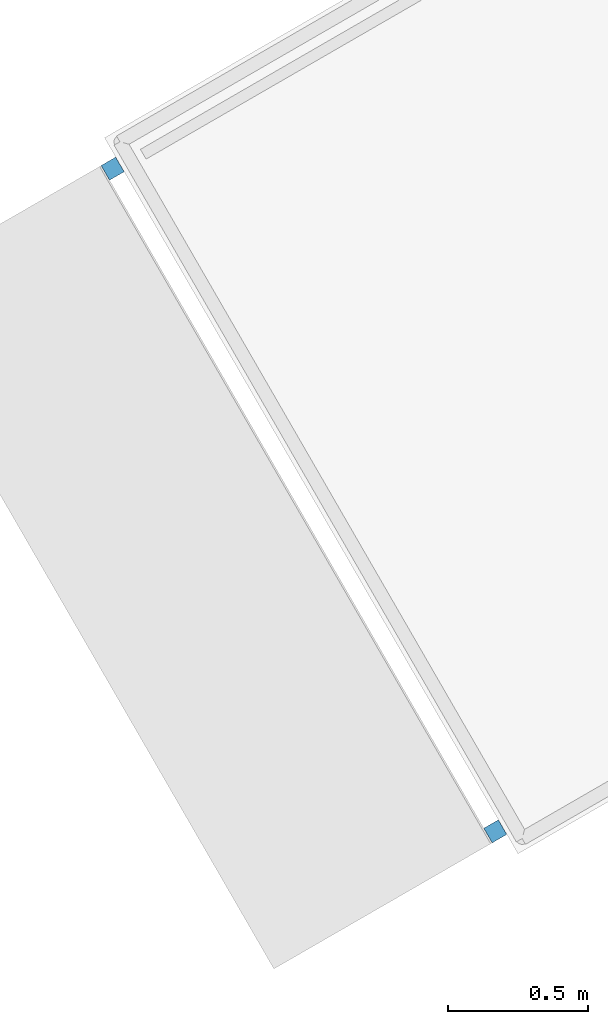
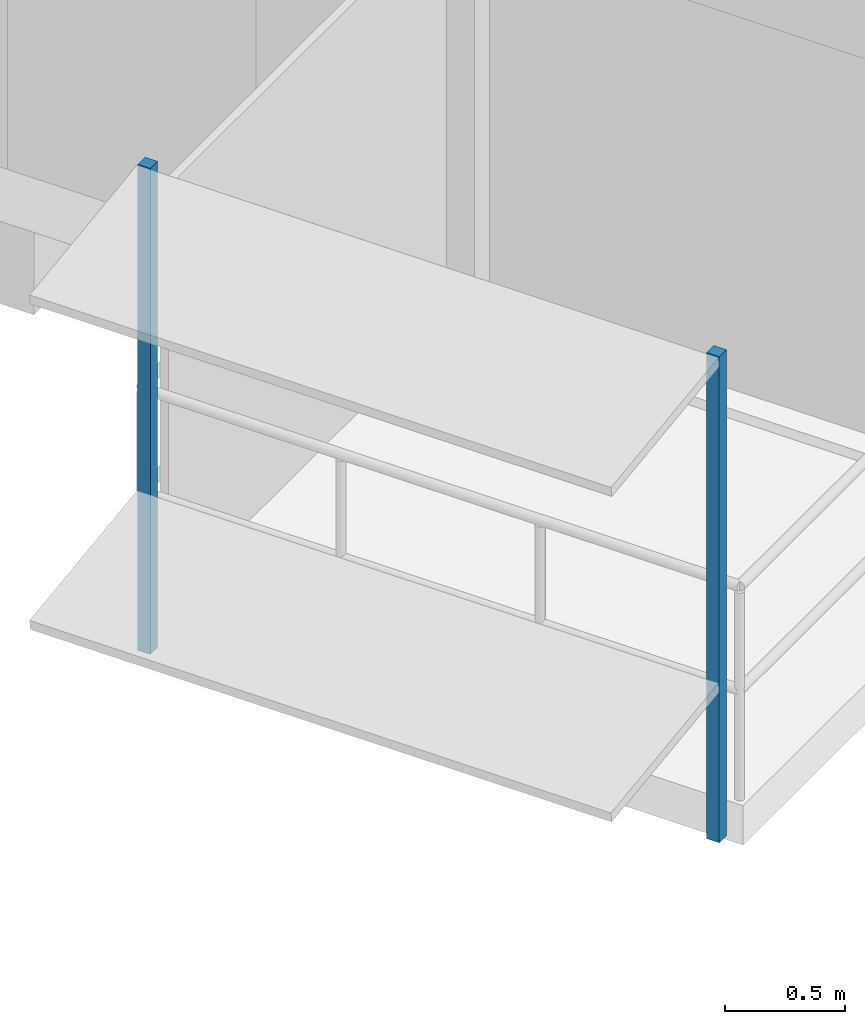
# One storey, part 11 of 17: 2 discrete accessories.
"""IFC4 building model written with IfcOpenShell, lengths in metres."""

from ifc_helpers import new_model, si_unit, direction, frame, origin, origin_2d, place, context, subcontext, project, spatial, rectangle, extrude, material, type_object, element, save


model = new_model("IFC4")

# Units and contexts
model_context = context("Model", 3, precision=1e-05, world=origin(), true_north=direction((0.0, 1.0)))
body_context = subcontext(model_context, "Body", "Model", "MODEL_VIEW")
ifc_project = project(units=[si_unit("LENGTHUNIT", "METRE"), si_unit("AREAUNIT", "SQUARE_METRE"), si_unit("VOLUMEUNIT", "CUBIC_METRE"), si_unit("PLANEANGLEUNIT", "RADIAN"), si_unit("MASSUNIT", "GRAM", prefix="KILO")], contexts=[model_context])

# Site, building, storey
site_placement = place(None, origin())
site = spatial("IfcSite", under=ifc_project, at=site_placement, CompositionType="ELEMENT")
building_placement = place(site_placement, origin())
building = spatial("IfcBuilding", under=site, at=building_placement, Name="Nakaniwa Court", CompositionType="ELEMENT")
storey_placement = place(building_placement, frame((0.0, 0.0, 203.10009765625)))
storey = spatial("IfcBuildingStorey", under=building, at=storey_placement, Name="L53", CompositionType="ELEMENT", Elevation=203.10009765625)

# Discrete accessories
ifc_material = material(Name="Black powder-coated steel bracket S275", Category="steel")
discrete_accessory_type = type_object("IfcDiscreteAccessoryType", Name="Black metal louvre bracket", PredefinedType="BRACKET", material=ifc_material)
for number, where, z_axis, x_axis, name in (
    (1, (59.105712890625, 66.02978515625, -0.22998046875), (0.0, 0.0, 1.0), (0.500016626402, -0.866015804314, 0.0), "L53 louvre bracket 02 1"),
    (2, (60.4697265625, 63.66748046875, -0.22998046875), (0.0, 0.0, 1.0), (0.500016626402, -0.866015804314, 0.0), "L53 louvre bracket 02 2"),
):
    element("IfcDiscreteAccessory", number, at=place(storey_placement, frame(where, z_axis=z_axis, x_axis=x_axis)), inside=storey, type_object=discrete_accessory_type, Name=name, PredefinedType="BRACKET", context=body_context, shape_type="SweptSolid", body=[
        extrude(rectangle(XDim=0.06005859375, YDim=0.06005859375, at=origin_2d()), origin(), (0.0, 0.0, 1.0), 2.46337890625),
    ])

save(model, "model.ifc")
